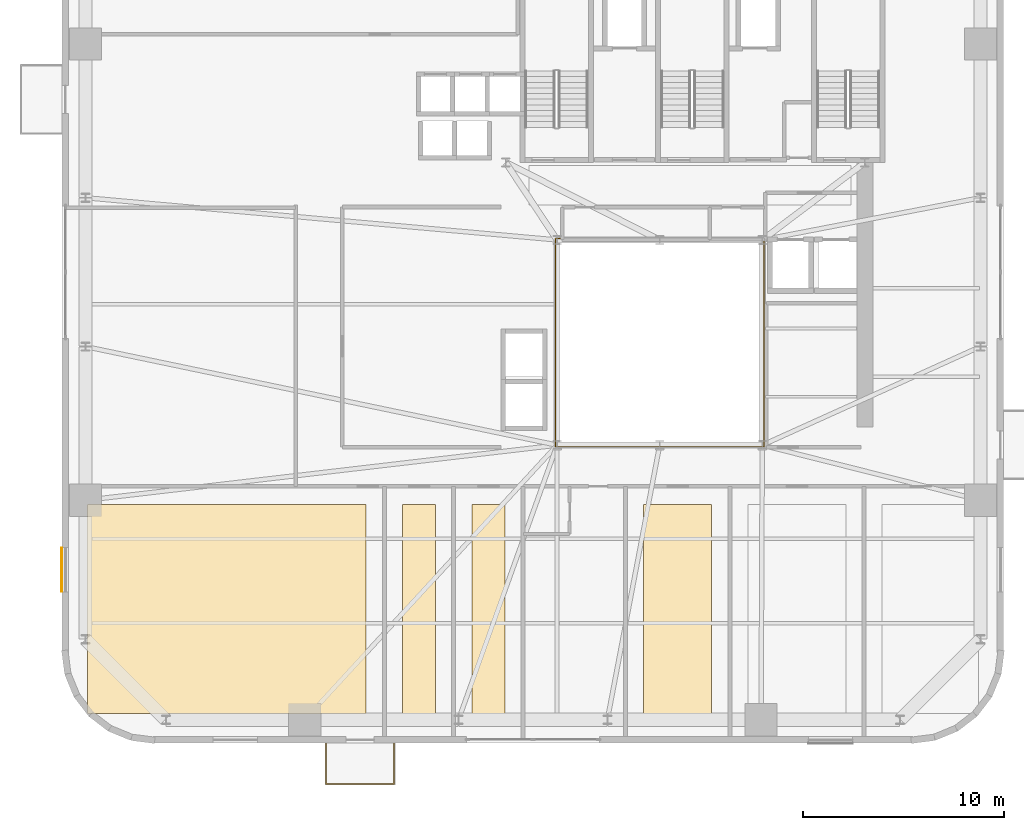
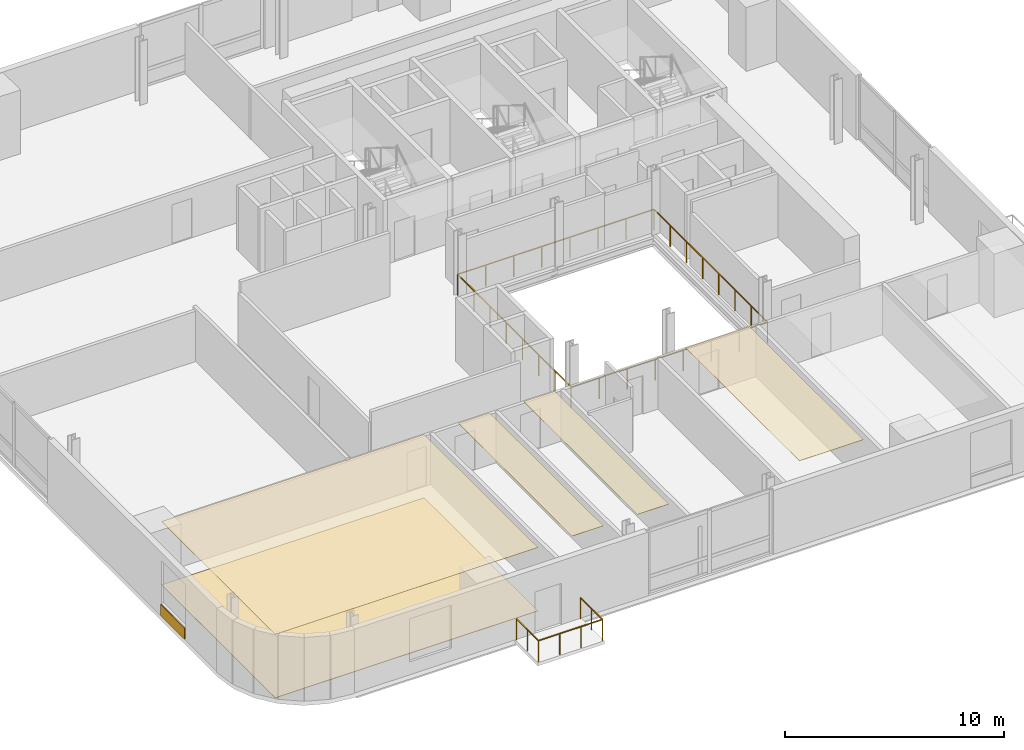
# One storey, part 10 of 14: 6 coverings, 2 railings.
"""IFC4 building model written with IfcOpenShell, lengths in metres."""

from ifc_helpers import new_model, si_unit, direction, frame, origin, origin_2d, place, context, subcontext, project, spatial, polyline, rectangle, outline, extrude, source, transform, mapped, material, layer, layer_set, type_object, element, save


model = new_model("IFC4")

# Units and contexts
model_context = context("Model", 3, precision=1e-05, world=origin(), true_north=direction((0.0, 1.0)))
body_context = subcontext(model_context, "Body", "Model", "MODEL_VIEW")
ifc_project = project(units=[si_unit("LENGTHUNIT", "METRE"), si_unit("AREAUNIT", "SQUARE_METRE"), si_unit("VOLUMEUNIT", "CUBIC_METRE"), si_unit("PLANEANGLEUNIT", "RADIAN"), si_unit("MASSUNIT", "GRAM", prefix="KILO")], contexts=[model_context])

# Site, building, storey
site_placement = place(None, origin())
site = spatial("IfcSite", under=ifc_project, at=site_placement, CompositionType="ELEMENT")
building_placement = place(site_placement, origin())
building = spatial("IfcBuilding", under=site, at=building_placement, Name="Vardaveli Station Tower", CompositionType="ELEMENT")
storey_placement = place(building_placement, frame((0.0, 0.0, 107.5)))
storey = spatial("IfcBuildingStorey", under=building, at=storey_placement, Name="L27", CompositionType="ELEMENT", Elevation=107.5)

# Coverings
ifc_material_1 = material(Name="Perforated acoustic mineral ceiling")
ifc_layer_1 = layer(ifc_material_1, 0.02001953125, Name="Perforated acoustic mineral ceiling")
ifc_layer_set_1 = layer_set([ifc_layer_1], Name="Perforated acoustic mineral ceiling")
covering_type_1 = type_object("IfcCoveringType", Name="COV-CEIL-AC20", PredefinedType="CEILING", material=ifc_layer_set_1)
covering_1_placement = place(storey_placement, frame((0.0, 0.0, 3.544921875)))
element("IfcCovering", 1, at=covering_1_placement, inside=storey, type_object=covering_type_1, Name="CEIL-L27-1", PredefinedType="CEILING", context=body_context, shape_type="SweptSolid", body=[
    extrude(outline(polyline([(7.85009765625, 3.25), (21.71044921875, 3.25), (21.71044921875, 13.64990234375), (7.85009765625, 13.64990234375), (7.85009765625, 3.25)])), origin(), (0.0, 0.0, 1.0), 0.02001953125),
])
covering_2_placement = place(storey_placement, frame((0.0, 0.0, 3.544921875)))
element("IfcCovering", 2, at=covering_2_placement, inside=storey, type_object=covering_type_1, Name="CEIL-L27-2", PredefinedType="CEILING", context=body_context, shape_type="SweptSolid", body=[
    extrude(outline(polyline([(23.510498046875, 3.25), (25.160400390625, 3.25), (25.160400390625, 13.64990234375), (23.510498046875, 13.64990234375), (23.510498046875, 3.25)])), origin(), (0.0, 0.0, 1.0), 0.02001953125),
])
covering_3_placement = place(storey_placement, frame((0.0, 0.0, 3.544921875)))
element("IfcCovering", 3, at=covering_3_placement, inside=storey, type_object=covering_type_1, Name="CEIL-L27-3", PredefinedType="CEILING", context=body_context, shape_type="SweptSolid", body=[
    extrude(outline(polyline([(26.96044921875, 3.25), (28.6103515625, 3.25), (28.6103515625, 13.64990234375), (26.96044921875, 13.64990234375), (26.96044921875, 3.25)])), origin(), (0.0, 0.0, 1.0), 0.02001953125),
])
covering_4_placement = place(storey_placement, frame((0.0, 0.0, 3.544921875)))
element("IfcCovering", 4, at=covering_4_placement, inside=storey, type_object=covering_type_1, Name="CEIL-L27-4", PredefinedType="CEILING", context=body_context, shape_type="SweptSolid", body=[
    extrude(outline(polyline([(35.506591796875, 3.25), (38.885498046875, 3.25), (38.885498046875, 13.64990234375), (35.506591796875, 13.64990234375), (35.506591796875, 3.25)])), origin(), (0.0, 0.0, 1.0), 0.02001953125),
])
ifc_material_2 = material(Name="Honed Caucasian basalt and travertine flooring", Category="masonry")
ifc_layer_2 = layer(ifc_material_2, 0.030029296875, Name="Honed Caucasian basalt and travertine flooring")
ifc_layer_set_2 = layer_set([ifc_layer_2], Name="Honed Caucasian basalt and travertine flooring")
covering_type_2 = type_object("IfcCoveringType", Name="COV-FLOOR-ST30", PredefinedType="FLOORING", material=ifc_layer_set_2)
covering_5_placement = place(storey_placement, origin())
element("IfcCovering", 5, at=covering_5_placement, inside=storey, type_object=covering_type_2, Name="FLR-L27-1", PredefinedType="FLOORING", context=body_context, shape_type="SweptSolid", body=[
    extrude(outline(polyline([(7.85009765625, 3.25), (21.71044921875, 3.25), (21.71044921875, 13.64990234375), (7.85009765625, 13.64990234375), (7.85009765625, 3.25)])), origin(), (0.0, 0.0, 1.0), 0.030029296875),
])
ifc_material_3 = material(Name="Ventilated honed travertine stone cladding", Category="masonry")
ifc_layer_3 = layer(ifc_material_3, 0.044921875, Name="Ventilated honed travertine stone cladding")
ifc_layer_set_3 = layer_set([ifc_layer_3], Name="Ventilated honed travertine stone cladding")
covering_type_3 = type_object("IfcCoveringType", Name="COV-CLAD-TR45", PredefinedType="CLADDING", material=ifc_layer_set_3)
shared_shape_1 = source(origin(), body_context, "Body", "SweptSolid", [
    extrude(rectangle(XDim=2.199951171875, YDim=0.044921875, at=origin_2d()), origin(), (0.0, 0.0, 1.0), 0.6201171875),
])
covering_6_placement = place(storey_placement, frame((6.58544921875, 10.405029296875, 0.06982421875), z_axis=(0.0, 0.0, 1.0), x_axis=(0.0, 1.0, 0.0)))
element("IfcCovering", 6, at=covering_6_placement, inside=storey, type_object=covering_type_3, Name="CLD-TR-L27-W", PredefinedType="CLADDING", context=body_context, shape_type="MappedRepresentation", body=[
    mapped(shared_shape_1, transform((0.0, 0.0, 0.0), scale=1.0)),
])

# Railings
ifc_material_4 = material(Name="Laminated glass and stainless steel balustrade", Category="steel")
railing_type = type_object("IfcRailingType", Name="RL-BAL-1200", PredefinedType="BALUSTRADE", material=ifc_material_4)
shared_shape_2 = source(origin(), body_context, "Body", "SweptSolid", [
    extrude(rectangle(XDim=0.048095703125, YDim=0.048095703125, at=origin_2d()), frame((0.0, 0.0, 1.17578125), z_axis=(0.0, -1.0, 0.0), x_axis=(1.0, 0.0, 0.0)), (0.0, 0.0, 1.0), 2.0),
    extrude(rectangle(XDim=0.048095703125, YDim=0.048095703125, at=origin_2d()), frame((0.0, -2.0, 1.17578125), z_axis=(1.0, 0.0, 0.0), x_axis=(0.0, 1.0, 0.0)), (0.0, 0.0, 1.0), 3.3798828125),
    extrude(rectangle(XDim=0.048095703125, YDim=0.048095703125, at=origin_2d()), frame((3.3798828125, -2.0, 1.17578125), z_axis=(0.0, 1.0, 0.0), x_axis=(-1.0, 0.0, 0.0)), (0.0, 0.0, 1.0), 2.0),
    extrude(rectangle(XDim=0.0419921875, YDim=0.0419921875, at=origin_2d()), origin(), (0.0, 0.0, 1.0), 1.15185546875),
    extrude(rectangle(XDim=0.0419921875, YDim=0.0419921875, at=origin_2d()), frame((0.0, -1.0, 0.0)), (0.0, 0.0, 1.0), 1.15185546875),
    extrude(rectangle(XDim=0.0419921875, YDim=0.0419921875, at=origin_2d()), frame((0.0, -2.0, 0.0)), (0.0, 0.0, 1.0), 1.15185546875),
    extrude(rectangle(XDim=0.0419921875, YDim=0.0419921875, at=origin_2d()), frame((1.126708984375, -2.0, 0.0)), (0.0, 0.0, 1.0), 1.15185546875),
    extrude(rectangle(XDim=0.0419921875, YDim=0.0419921875, at=origin_2d()), frame((2.253173828125, -2.0, 0.0)), (0.0, 0.0, 1.0), 1.15185546875),
    extrude(rectangle(XDim=0.0419921875, YDim=0.0419921875, at=origin_2d()), frame((3.3798828125, -2.0, 0.0)), (0.0, 0.0, 1.0), 1.15185546875),
    extrude(rectangle(XDim=0.0419921875, YDim=0.0419921875, at=origin_2d()), frame((3.3798828125, -1.0, 0.0)), (0.0, 0.0, 1.0), 1.15185546875),
    extrude(rectangle(XDim=0.0419921875, YDim=0.0419921875, at=origin_2d()), frame((3.3798828125, 0.0, 0.0)), (0.0, 0.0, 1.0), 1.15185546875),
])
railing_1_placement = place(storey_placement, frame((19.720458984375, 1.760009765625, 0.0)))
element("IfcRailing", 7, at=railing_1_placement, inside=storey, type_object=railing_type, Name="RL-LOG-L27-01", PredefinedType="BALUSTRADE", context=body_context, shape_type="MappedRepresentation", body=[
    mapped(shared_shape_2, transform((0.0, 0.0, 0.0), scale=1.0)),
])
shared_shape_3 = source(origin(), body_context, "Body", "SweptSolid", [
    extrude(rectangle(XDim=0.048095703125, YDim=0.048095703125, at=origin_2d()), frame((0.0, 0.0, 1.17578125), z_axis=(1.0, 0.0, 0.0), x_axis=(0.0, 1.0, 0.0)), (0.0, 0.0, 1.0), 10.35986328125),
    extrude(rectangle(XDim=0.048095703125, YDim=0.048095703125, at=origin_2d()), frame((10.35986328125, 0.0, 1.17578125), z_axis=(0.0, 1.0, 0.0), x_axis=(-1.0, 0.0, 0.0)), (0.0, 0.0, 1.0), 10.35986328125),
    extrude(rectangle(XDim=0.048095703125, YDim=0.048095703125, at=origin_2d()), frame((10.35986328125, 10.35986328125, 1.17578125), z_axis=(-1.0, 0.0, 0.0), x_axis=(0.0, -1.0, 0.0)), (0.0, 0.0, 1.0), 10.35986328125),
    extrude(rectangle(XDim=0.048095703125, YDim=0.048095703125, at=origin_2d()), frame((0.0, 10.35986328125, 1.17578125), z_axis=(0.0, -1.0, 0.0), x_axis=(1.0, 0.0, 0.0)), (0.0, 0.0, 1.0), 10.35986328125),
    extrude(rectangle(XDim=0.0419921875, YDim=0.0419921875, at=origin_2d()), origin(), (0.0, 0.0, 1.0), 1.15185546875),
    extrude(rectangle(XDim=0.0419921875, YDim=0.0419921875, at=origin_2d()), frame((1.47998046875, 0.0, 0.0)), (0.0, 0.0, 1.0), 1.15185546875),
    extrude(rectangle(XDim=0.0419921875, YDim=0.0419921875, at=origin_2d()), frame((2.9599609375, 0.0, 0.0)), (0.0, 0.0, 1.0), 1.15185546875),
    extrude(rectangle(XDim=0.0419921875, YDim=0.0419921875, at=origin_2d()), frame((4.43994140625, 0.0, 0.0)), (0.0, 0.0, 1.0), 1.15185546875),
    extrude(rectangle(XDim=0.0419921875, YDim=0.0419921875, at=origin_2d()), frame((5.919921875, 0.0, 0.0)), (0.0, 0.0, 1.0), 1.15185546875),
    extrude(rectangle(XDim=0.0419921875, YDim=0.0419921875, at=origin_2d()), frame((7.39990234375, 0.0, 0.0)), (0.0, 0.0, 1.0), 1.15185546875),
    extrude(rectangle(XDim=0.0419921875, YDim=0.0419921875, at=origin_2d()), frame((8.8798828125, 0.0, 0.0)), (0.0, 0.0, 1.0), 1.15185546875),
    extrude(rectangle(XDim=0.0419921875, YDim=0.0419921875, at=origin_2d()), frame((10.35986328125, 0.0, 0.0)), (0.0, 0.0, 1.0), 1.15185546875),
    extrude(rectangle(XDim=0.0419921875, YDim=0.0419921875, at=origin_2d()), frame((10.35986328125, 1.47998046875, 0.0)), (0.0, 0.0, 1.0), 1.15185546875),
    extrude(rectangle(XDim=0.0419921875, YDim=0.0419921875, at=origin_2d()), frame((10.35986328125, 2.9599609375, 0.0)), (0.0, 0.0, 1.0), 1.15185546875),
    extrude(rectangle(XDim=0.0419921875, YDim=0.0419921875, at=origin_2d()), frame((10.35986328125, 4.43994140625, 0.0)), (0.0, 0.0, 1.0), 1.15185546875),
    extrude(rectangle(XDim=0.0419921875, YDim=0.0419921875, at=origin_2d()), frame((10.35986328125, 5.919921875, 0.0)), (0.0, 0.0, 1.0), 1.15185546875),
    extrude(rectangle(XDim=0.0419921875, YDim=0.0419921875, at=origin_2d()), frame((10.35986328125, 7.39990234375, 0.0)), (0.0, 0.0, 1.0), 1.15185546875),
    extrude(rectangle(XDim=0.0419921875, YDim=0.0419921875, at=origin_2d()), frame((10.35986328125, 8.8798828125, 0.0)), (0.0, 0.0, 1.0), 1.15185546875),
    extrude(rectangle(XDim=0.0419921875, YDim=0.0419921875, at=origin_2d()), frame((10.35986328125, 10.35986328125, 0.0)), (0.0, 0.0, 1.0), 1.15185546875),
    extrude(rectangle(XDim=0.0419921875, YDim=0.0419921875, at=origin_2d()), frame((8.8798828125, 10.35986328125, 0.0)), (0.0, 0.0, 1.0), 1.15185546875),
    extrude(rectangle(XDim=0.0419921875, YDim=0.0419921875, at=origin_2d()), frame((7.39990234375, 10.35986328125, 0.0)), (0.0, 0.0, 1.0), 1.15185546875),
    extrude(rectangle(XDim=0.0419921875, YDim=0.0419921875, at=origin_2d()), frame((5.919921875, 10.35986328125, 0.0)), (0.0, 0.0, 1.0), 1.15185546875),
    extrude(rectangle(XDim=0.0419921875, YDim=0.0419921875, at=origin_2d()), frame((4.43994140625, 10.35986328125, 0.0)), (0.0, 0.0, 1.0), 1.15185546875),
    extrude(rectangle(XDim=0.0419921875, YDim=0.0419921875, at=origin_2d()), frame((2.9599609375, 10.35986328125, 0.0)), (0.0, 0.0, 1.0), 1.15185546875),
    extrude(rectangle(XDim=0.0419921875, YDim=0.0419921875, at=origin_2d()), frame((1.47998046875, 10.35986328125, 0.0)), (0.0, 0.0, 1.0), 1.15185546875),
    extrude(rectangle(XDim=0.0419921875, YDim=0.0419921875, at=origin_2d()), frame((0.0, 10.35986328125, 0.0)), (0.0, 0.0, 1.0), 1.15185546875),
    extrude(rectangle(XDim=0.0419921875, YDim=0.0419921875, at=origin_2d()), frame((0.0, 8.8798828125, 0.0)), (0.0, 0.0, 1.0), 1.15185546875),
    extrude(rectangle(XDim=0.0419921875, YDim=0.0419921875, at=origin_2d()), frame((0.0, 7.39990234375, 0.0)), (0.0, 0.0, 1.0), 1.15185546875),
    extrude(rectangle(XDim=0.0419921875, YDim=0.0419921875, at=origin_2d()), frame((0.0, 5.919921875, 0.0)), (0.0, 0.0, 1.0), 1.15185546875),
    extrude(rectangle(XDim=0.0419921875, YDim=0.0419921875, at=origin_2d()), frame((0.0, 4.43994140625, 0.0)), (0.0, 0.0, 1.0), 1.15185546875),
    extrude(rectangle(XDim=0.0419921875, YDim=0.0419921875, at=origin_2d()), frame((0.0, 2.9599609375, 0.0)), (0.0, 0.0, 1.0), 1.15185546875),
    extrude(rectangle(XDim=0.0419921875, YDim=0.0419921875, at=origin_2d()), frame((0.0, 1.47998046875, 0.0)), (0.0, 0.0, 1.0), 1.15185546875),
])
railing_2_placement = place(storey_placement, frame((31.1201171875, 16.52001953125, 0.0)))
element("IfcRailing", 8, at=railing_2_placement, inside=storey, type_object=railing_type, Name="RL-ATR-L27", PredefinedType="BALUSTRADE", context=body_context, shape_type="MappedRepresentation", body=[
    mapped(shared_shape_3, transform((0.0, 0.0, 0.0), scale=1.0)),
])

save(model, "model.ifc")
